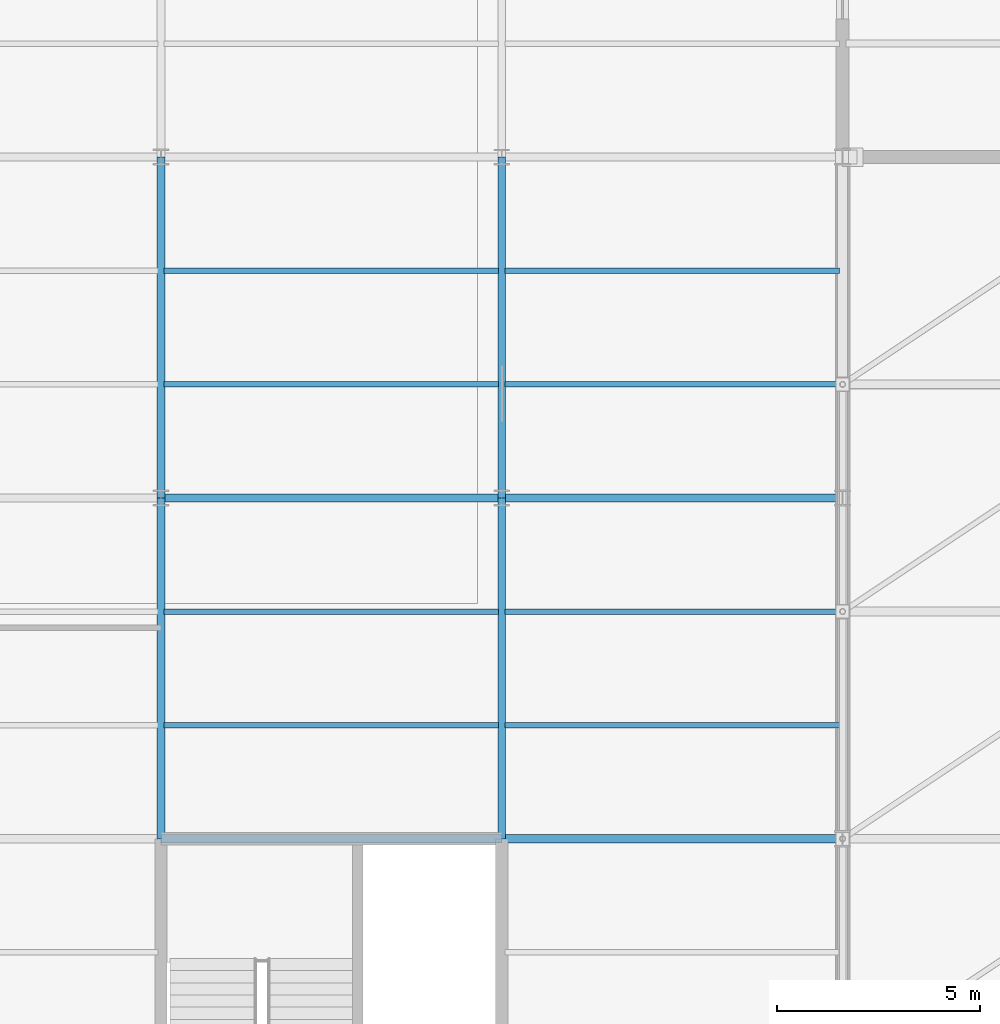
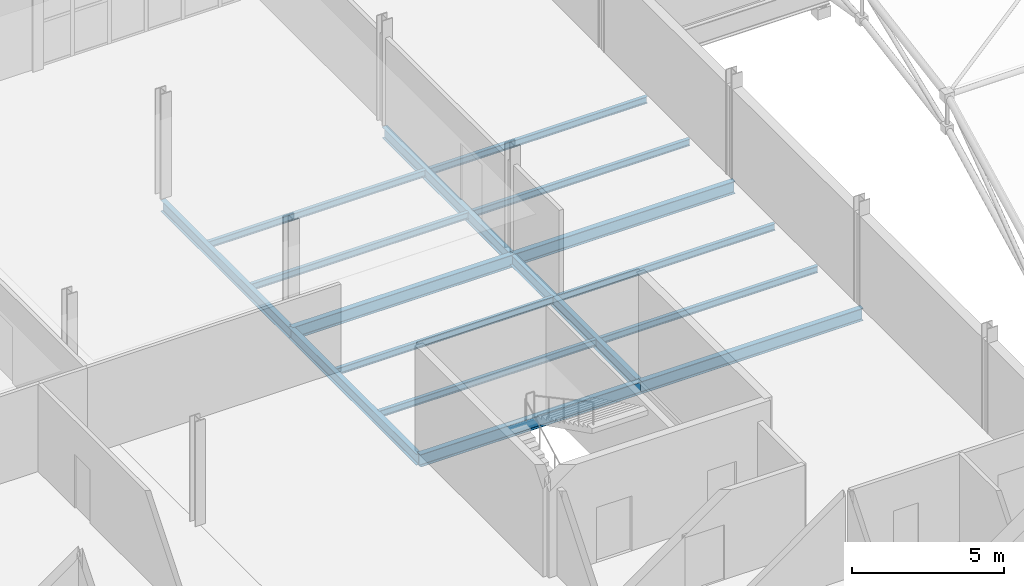
# One storey, part 38 of 184: 16 beams.
"""IFC4 building model written with IfcOpenShell, lengths in metres."""

from ifc_helpers import new_model, si_unit, direction, frame, origin, origin_2d, place, context, subcontext, project, spatial, i_section, extrude, material, material_profile, profile_set, type_object, element, save


model = new_model("IFC4")

# Units and contexts
model_context = context("Model", 3, precision=1e-05, world=origin(), true_north=direction((0.0, 1.0)))
body_context = subcontext(model_context, "Body", "Model", "MODEL_VIEW")
ifc_project = project(units=[si_unit("LENGTHUNIT", "METRE"), si_unit("AREAUNIT", "SQUARE_METRE"), si_unit("VOLUMEUNIT", "CUBIC_METRE"), si_unit("PLANEANGLEUNIT", "RADIAN"), si_unit("MASSUNIT", "GRAM", prefix="KILO")], contexts=[model_context])

# Site, building, storey
site_placement = place(None, origin())
site = spatial("IfcSite", under=ifc_project, at=site_placement, CompositionType="ELEMENT")
building_placement = place(site_placement, origin())
building = spatial("IfcBuilding", under=site, at=building_placement, Name="Qalvenar Corner Mobility Hub", CompositionType="ELEMENT")
storey_placement = place(building_placement, frame((0.0, 0.0, 9.0)))
storey = spatial("IfcBuildingStorey", under=building, at=storey_placement, Name="L02", CompositionType="ELEMENT", Elevation=9.0)

# Beams
ifc_material = material(Name="Steel S355", Category="steel")
ifc_material_profile_1 = material_profile(ifc_material, i_section(OverallWidth=0.18994140625, OverallDepth=0.449951171875, WebThickness=0.009521484375, FlangeThickness=0.0146484375, FilletRadius=0.02099609375, at=origin_2d()), Name="IPE450")
ifc_profile_set_1 = profile_set([ifc_material_profile_1], Name="Steel S355")
beam_type_1 = type_object("IfcBeamType", Name="BM-IPE450", PredefinedType="BEAM", material=ifc_profile_set_1)
beam_1_placement = place(storey_placement, frame((33.60009765625, 16.800048828125, -0.405029296875), z_axis=(0.0, 1.0, 0.0), x_axis=(-1.0, 0.0, 0.0)))
element("IfcBeam", 1, at=beam_1_placement, inside=storey, type_object=beam_type_1, Name="Primary Steel Girder GY-1599", PredefinedType="BEAM", context=body_context, shape_type="SweptSolid", body=[
    extrude(i_section(OverallWidth=0.18994140625, OverallDepth=0.449951171875, WebThickness=0.009521484375, FlangeThickness=0.0146484375, FilletRadius=0.02099609375, at=origin_2d()), origin(), (0.0, 0.0, 1.0), 8.39990234375),
])
beam_2_placement = place(storey_placement, frame((33.60009765625, 25.199951171875, -0.405029296875), z_axis=(0.0, 1.0, 0.0), x_axis=(-1.0, 0.0, 0.0)))
element("IfcBeam", 2, at=beam_2_placement, inside=storey, type_object=beam_type_1, Name="Primary Steel Girder GY-1600", PredefinedType="BEAM", context=body_context, shape_type="SweptSolid", body=[
    extrude(i_section(OverallWidth=0.18994140625, OverallDepth=0.449951171875, WebThickness=0.009521484375, FlangeThickness=0.0146484375, FilletRadius=0.02099609375, at=origin_2d()), origin(), (0.0, 0.0, 1.0), 8.400146484375),
])
beam_3_placement = place(storey_placement, frame((42.0, 16.800048828125, -0.405029296875), z_axis=(0.0, 1.0, 0.0), x_axis=(-1.0, 0.0, 0.0)))
element("IfcBeam", 3, at=beam_3_placement, inside=storey, type_object=beam_type_1, Name="Primary Steel Girder GY-1604", PredefinedType="BEAM", context=body_context, shape_type="SweptSolid", body=[
    extrude(i_section(OverallWidth=0.18994140625, OverallDepth=0.449951171875, WebThickness=0.009521484375, FlangeThickness=0.0146484375, FilletRadius=0.02099609375, at=origin_2d()), origin(), (0.0, 0.0, 1.0), 8.39990234375),
])
beam_4_placement = place(storey_placement, frame((42.0, 25.199951171875, -0.405029296875), z_axis=(0.0, 1.0, 0.0), x_axis=(-1.0, 0.0, 0.0)))
element("IfcBeam", 4, at=beam_4_placement, inside=storey, type_object=beam_type_1, Name="Primary Steel Girder GY-1605", PredefinedType="BEAM", context=body_context, shape_type="SweptSolid", body=[
    extrude(i_section(OverallWidth=0.18994140625, OverallDepth=0.449951171875, WebThickness=0.009521484375, FlangeThickness=0.0146484375, FilletRadius=0.02099609375, at=origin_2d()), origin(), (0.0, 0.0, 1.0), 8.400146484375),
])
ifc_material_profile_2 = material_profile(ifc_material, i_section(OverallWidth=0.199951171875, OverallDepth=0.5, WebThickness=0.01025390625, FlangeThickness=0.01611328125, FilletRadius=0.02099609375, at=origin_2d()), Name="IPE500")
ifc_profile_set_2 = profile_set([ifc_material_profile_2], Name="Steel S355")
beam_type_2 = type_object("IfcBeamType", Name="BM-IPE500", PredefinedType="BEAM", material=ifc_profile_set_2)
for number, where, z_axis, x_axis, name in (
    (5, (33.60009765625, 16.800048828125, -0.429931640625), (1.0, 0.0, 0.0), (0.0, 1.0, 0.0), "Primary Steel Girder GX-1557"),
    (6, (42.0, 16.800048828125, -0.429931640625), (1.0, 0.0, 0.0), (0.0, 1.0, 0.0), "Primary Steel Girder GX-1558"),
    (7, (33.60009765625, 25.199951171875, -0.429931640625), (1.0, 0.0, 0.0), (0.0, 1.0, 0.0), "Primary Steel Girder GX-1563"),
    (8, (42.0, 25.199951171875, -0.429931640625), (1.0, 0.0, 0.0), (0.0, 1.0, 0.0), "Primary Steel Girder GX-1564"),
):
    element("IfcBeam", number, at=place(storey_placement, frame(where, z_axis=z_axis, x_axis=x_axis)), inside=storey, type_object=beam_type_2, Name=name, PredefinedType="BEAM", context=body_context, shape_type="SweptSolid", body=[
        extrude(i_section(OverallWidth=0.199951171875, OverallDepth=0.5, WebThickness=0.01025390625, FlangeThickness=0.01611328125, FilletRadius=0.02099609375, at=origin_2d()), origin(), (0.0, 0.0, 1.0), 8.39990234375),
    ])
ifc_material_profile_3 = material_profile(ifc_material, i_section(OverallWidth=0.135009765625, OverallDepth=0.27001953125, WebThickness=0.006591796875, FlangeThickness=0.01025390625, FilletRadius=0.014892578125, at=origin_2d()), Name="IPE270")
ifc_profile_set_3 = profile_set([ifc_material_profile_3], Name="Steel S355")
beam_type_3 = type_object("IfcBeamType", Name="BM-JST270", PredefinedType="JOIST", material=ifc_profile_set_3)
for number, where, z_axis, x_axis, name in (
    (9, (33.677978515625, 19.60009765625, -0.31494140625), (1.0, 0.0, 0.0), (0.0, 1.0, 0.0), "Composite Floor Joist J-1653"),
    (10, (33.677978515625, 22.39990234375, -0.31494140625), (1.0, 0.0, 0.0), (0.0, 1.0, 0.0), "Composite Floor Joist J-1654"),
    (11, (33.677978515625, 28.0, -0.31494140625), (1.0, 0.0, 0.0), (0.0, 1.0, 0.0), "Composite Floor Joist J-1655"),
    (12, (33.677978515625, 30.800048828125, -0.31494140625), (1.0, 0.0, 0.0), (0.0, 1.0, 0.0), "Composite Floor Joist J-1656"),
    (13, (42.077880859375, 19.60009765625, -0.31494140625), (1.0, 0.0, 0.0), (0.0, 1.0, 0.0), "Composite Floor Joist J-1663"),
    (14, (42.077880859375, 22.39990234375, -0.31494140625), (1.0, 0.0, 0.0), (0.0, 1.0, 0.0), "Composite Floor Joist J-1664"),
    (15, (42.077880859375, 28.0, -0.31494140625), (1.0, 0.0, 0.0), (0.0, 1.0, 0.0), "Composite Floor Joist J-1665"),
    (16, (42.077880859375, 30.800048828125, -0.31494140625), (1.0, 0.0, 0.0), (0.0, 1.0, 0.0), "Composite Floor Joist J-1666"),
):
    element("IfcBeam", number, at=place(storey_placement, frame(where, z_axis=z_axis, x_axis=x_axis)), inside=storey, type_object=beam_type_3, Name=name, PredefinedType="JOIST", context=body_context, shape_type="SweptSolid", body=[
        extrude(i_section(OverallWidth=0.135009765625, OverallDepth=0.27001953125, WebThickness=0.006591796875, FlangeThickness=0.01025390625, FilletRadius=0.014892578125, at=origin_2d()), origin(), (0.0, 0.0, 1.0), 8.244140625),
    ])

save(model, "model.ifc")
